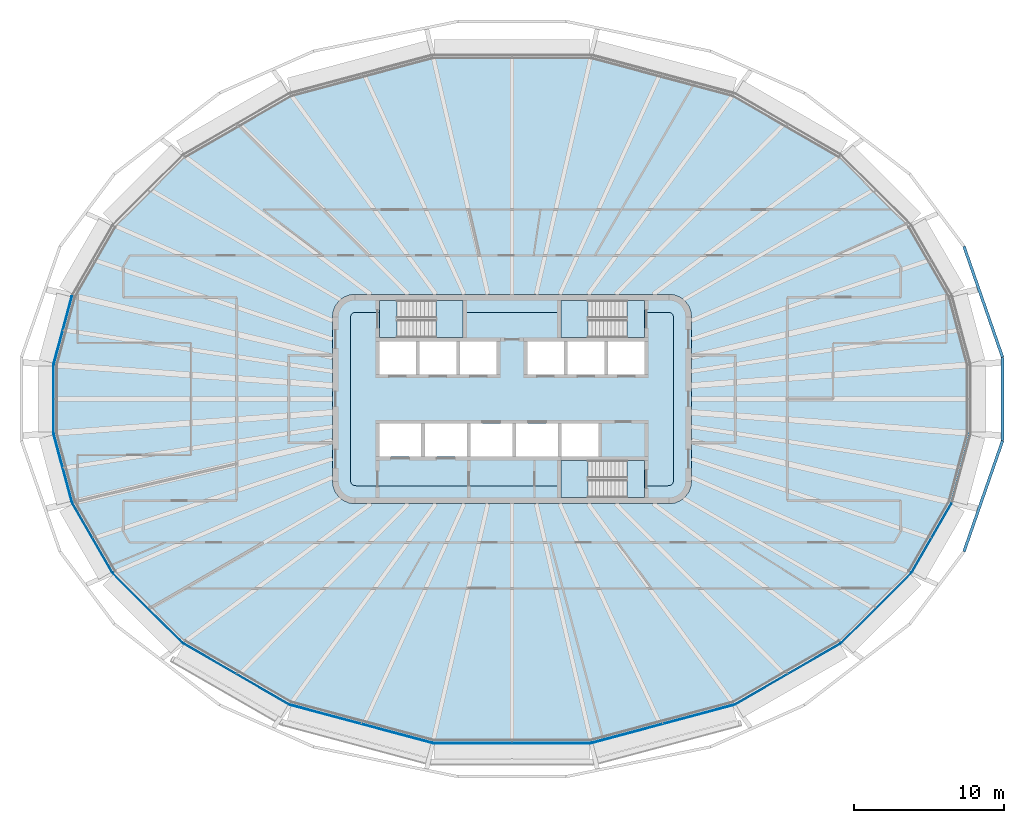
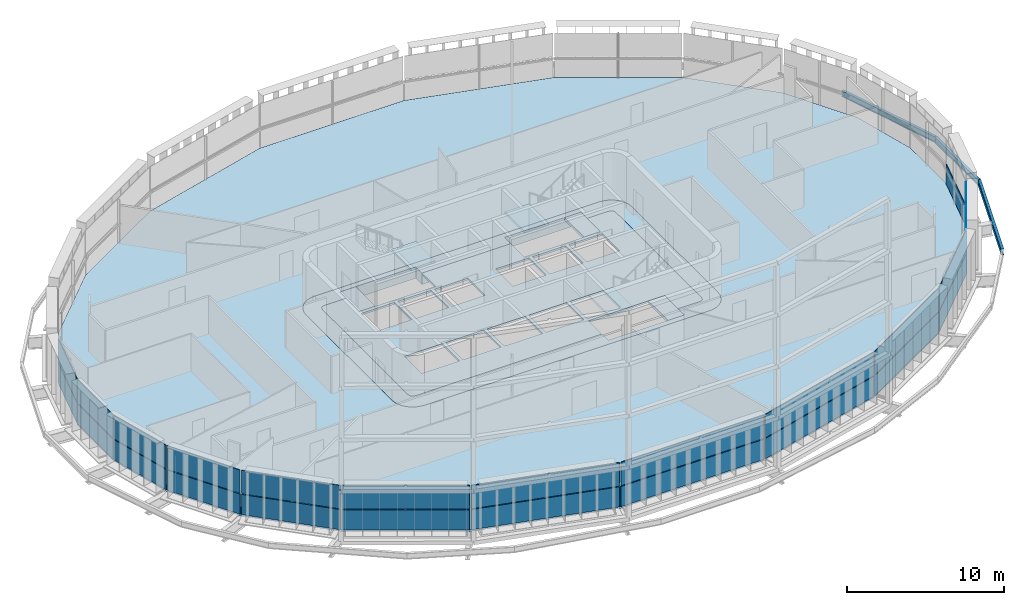
# One storey, part 9 of 20: 25 plates, 9 slabs, 3 beams, 16 elements without a shape of their own.
"""IFC4 building model written with IfcOpenShell, lengths in metres."""

from ifc_helpers import new_model, si_unit, direction, frame, origin, origin_2d, place, context, subcontext, project, spatial, polyline, i_section, outline, extrude, material, layer, layer_set, material_profile, profile_set, type_object, element, aggregate, save


model = new_model("IFC4")

# Units and contexts
model_context = context("Model", 3, precision=1e-05, world=origin(), true_north=direction((0.0, 1.0)))
body_context = subcontext(model_context, "Body", "Model", "MODEL_VIEW")
ifc_project = project(units=[si_unit("LENGTHUNIT", "METRE"), si_unit("AREAUNIT", "SQUARE_METRE"), si_unit("VOLUMEUNIT", "CUBIC_METRE"), si_unit("PLANEANGLEUNIT", "RADIAN"), si_unit("MASSUNIT", "GRAM", prefix="KILO")], contexts=[model_context])

# Site, building, storey
site_placement = place(None, origin())
site = spatial("IfcSite", under=ifc_project, at=site_placement, CompositionType="ELEMENT")
building_placement = place(site_placement, origin())
building = spatial("IfcBuilding", under=site, at=building_placement, Name="Sahrelin Media Tower", CompositionType="ELEMENT")
storey_placement = place(building_placement, frame((0.0, 0.0, 209.60009765625)))
storey = spatial("IfcBuildingStorey", under=building, at=storey_placement, Name="L44", CompositionType="ELEMENT", Elevation=209.60009765625)

# Beams
ifc_material_1 = material(Name="Steel S355", Category="steel")
ifc_material_profile = material_profile(ifc_material_1, i_section(OverallWidth=0.1904296875, OverallDepth=0.45703125, WebThickness=0.009033203125, FlangeThickness=0.014404296875, FilletRadius=0.01025390625, at=origin_2d()), Name="UB 457x191x74")
ifc_profile_set = profile_set([ifc_material_profile], Name="Steel S355")
beam_type = type_object("IfcBeamType", Name="Tie chord TC5", PredefinedType="BEAM", material=ifc_profile_set)
for number, where, z_axis, x_axis, name in (
    (1, (32.8017578125, 2.789794921875, -0.378662109375), (-0.328788244243, 0.944403669226, 0.0), (-0.944403669226, -0.328788244243, 0.0), "Tie chord L44-01"),
    (2, (30.21923828125, -10.207763671875, -0.378662109375), (0.328788244243, 0.944403669226, 0.0), (-0.944403669226, 0.328788244243, 0.0), "Tie chord L44-23"),
):
    element("IfcBeam", number, at=place(storey_placement, frame(where, z_axis=z_axis, x_axis=x_axis)), inside=storey, type_object=beam_type, Name=name, PredefinedType="BEAM", context=body_context, shape_type="SweptSolid", body=[
        extrude(i_section(OverallWidth=0.1904296875, OverallDepth=0.45703125, WebThickness=0.009033203125, FlangeThickness=0.014404296875, FilletRadius=0.01025390625, at=origin_2d()), origin(), (0.0, 0.0, 1.0), 7.854736328125),
    ])
beam_placement = place(storey_placement, frame((32.8017578125, -2.789794921875, -0.378662109375), z_axis=(0.0, 1.0, 0.0), x_axis=(-1.0, 0.0, 0.0)))
element("IfcBeam", 3, at=beam_placement, inside=storey, type_object=beam_type, Name="Tie chord L44-24", PredefinedType="BEAM", context=body_context, shape_type="SweptSolid", body=[
    extrude(i_section(OverallWidth=0.1904296875, OverallDepth=0.45703125, WebThickness=0.009033203125, FlangeThickness=0.014404296875, FilletRadius=0.01025390625, at=origin_2d()), origin(), (0.0, 0.0, 1.0), 5.57958984375),
])

# Slabs
ifc_material_2 = material(Name="Concrete C40/50", Category="concrete")
ifc_layer_1 = layer(ifc_material_2, 0.14990234375)
ifc_layer_set_1 = layer_set([ifc_layer_1], Name="Composite floor slab 150")
slab_type_1 = type_object("IfcSlabType", Name="Composite floor slab 150", PredefinedType="FLOOR", material=ifc_layer_set_1)
placement_1 = place(storey_placement, frame((0.0, 0.0, -0.150146484375)))
element("IfcSlab", 4, at=placement_1, inside=storey, type_object=slab_type_1, Name="Floor slab L44", PredefinedType="FLOOR", context=body_context, shape_type="SweptSolid", body=[
    extrude(outline(polyline([(30.645263671875, -2.288818359375), (30.645263671875, 2.288818359375), (29.40625, 6.9130859375), (26.682373046875, 11.631103515625), (22.001708984375, 16.311767578125), (14.856689453125, 20.43701171875), (5.30712890625, 22.99560546875), (-5.30712890625, 22.99560546875), (-14.856689453125, 20.43701171875), (-22.001708984375, 16.311767578125), (-26.682373046875, 11.631103515625), (-29.40625, 6.9130859375), (-30.645263671875, 2.288818359375), (-30.645263671875, -2.288818359375), (-29.40625, -6.9130859375), (-26.682373046875, -11.631103515625), (-22.001708984375, -16.311767578125), (-14.856689453125, -20.43701171875), (-5.30712890625, -22.99560546875), (5.30712890625, -22.99560546875), (14.856689453125, -20.43701171875), (22.001708984375, -16.311767578125), (26.682373046875, -11.631103515625), (29.40625, -6.9130859375), (30.645263671875, -2.288818359375)]), holes=[polyline([(11.948974609375, 5.88818359375), (12.0, 5.5), (12.0, -5.5), (11.948974609375, -5.88818359375), (11.799072265625, -6.25), (11.560791015625, -6.560791015625), (11.25, -6.799072265625), (10.88818359375, -6.948974609375), (10.5, -7.0), (-10.5, -7.0), (-10.88818359375, -6.948974609375), (-11.25, -6.799072265625), (-11.560791015625, -6.560791015625), (-11.799072265625, -6.25), (-11.948974609375, -5.88818359375), (-12.0, -5.5), (-12.0, 5.5), (-11.948974609375, 5.88818359375), (-11.799072265625, 6.25), (-11.560791015625, 6.560791015625), (-11.25, 6.799072265625), (-10.88818359375, 6.948974609375), (-10.5, 7.0), (10.5, 7.0), (10.88818359375, 6.948974609375), (11.25, 6.799072265625), (11.560791015625, 6.560791015625), (11.799072265625, 6.25), (11.948974609375, 5.88818359375)])]), origin(), (0.0, 0.0, 1.0), 0.150146484375),
])
ifc_layer_2 = layer(ifc_material_2, 0.14990234375)
ifc_layer_set_2 = layer_set([ifc_layer_2], Name="Core floor slab 150")
slab_type_2 = type_object("IfcSlabType", Name="Core floor slab 150", PredefinedType="FLOOR", material=ifc_layer_set_2)
element("IfcSlab", 5, at=placement_1, inside=storey, type_object=slab_type_2, Name="Core floor", PredefinedType="FLOOR", context=body_context, shape_type="SweptSolid", body=[
    extrude(outline(polyline([(-10.800048828125, -5.42138671875), (-10.77978515625, -5.574951171875), (-10.750732421875, -5.64501953125), (-10.704833984375, -5.704833984375), (-10.64501953125, -5.750732421875), (-10.574951171875, -5.77978515625), (-10.42138671875, -5.800048828125), (3.27490234375, -5.800048828125), (3.27490234375, -4.10009765625), (8.875, -4.10009765625), (8.875, -5.800048828125), (10.42138671875, -5.800048828125), (10.574951171875, -5.77978515625), (10.64501953125, -5.750732421875), (10.704833984375, -5.704833984375), (10.750732421875, -5.64501953125), (10.77978515625, -5.574951171875), (10.800048828125, -5.42138671875), (10.800048828125, 5.42138671875), (10.77978515625, 5.574951171875), (10.750732421875, 5.64501953125), (10.704833984375, 5.704833984375), (10.64501953125, 5.750732421875), (10.574951171875, 5.77978515625), (10.42138671875, 5.800048828125), (8.875, 5.800048828125), (8.875, 4.10009765625), (3.27490234375, 4.10009765625), (3.27490234375, 5.800048828125), (-3.27490234375, 5.800048828125), (-3.27490234375, 4.10009765625), (-8.875, 4.10009765625), (-8.875, 5.800048828125), (-10.42138671875, 5.800048828125), (-10.574951171875, 5.77978515625), (-10.64501953125, 5.750732421875), (-10.704833984375, 5.704833984375), (-10.750732421875, 5.64501953125), (-10.77978515625, 5.574951171875), (-10.800048828125, 5.42138671875), (-10.800048828125, -5.42138671875)]), holes=[polyline([(-8.875, 3.85009765625), (-8.875, 1.64990234375), (-6.425048828125, 1.64990234375), (-6.425048828125, 3.85009765625), (-8.875, 3.85009765625)]), polyline([(-3.72509765625, 3.85009765625), (-6.175048828125, 3.85009765625), (-6.175048828125, 1.64990234375), (-3.72509765625, 1.64990234375), (-3.72509765625, 3.85009765625)]), polyline([(-1.02490234375, 1.64990234375), (-1.02490234375, 3.85009765625), (-3.47509765625, 3.85009765625), (-3.47509765625, 1.64990234375), (-1.02490234375, 1.64990234375)]), polyline([(1.02490234375, 1.64990234375), (3.47509765625, 1.64990234375), (3.47509765625, 3.85009765625), (1.02490234375, 3.85009765625), (1.02490234375, 1.64990234375)]), polyline([(3.72509765625, 3.85009765625), (3.72509765625, 1.64990234375), (6.175048828125, 1.64990234375), (6.175048828125, 3.85009765625), (3.72509765625, 3.85009765625)]), polyline([(8.875, 3.85009765625), (6.425048828125, 3.85009765625), (6.425048828125, 1.64990234375), (8.875, 1.64990234375), (8.875, 3.85009765625)]), polyline([(-6.074951171875, -3.85009765625), (-6.074951171875, -1.64990234375), (-8.875, -1.64990234375), (-8.875, -3.85009765625), (-6.074951171875, -3.85009765625)]), polyline([(-5.824951171875, -3.85009765625), (-3.02490234375, -3.85009765625), (-3.02490234375, -1.64990234375), (-5.824951171875, -1.64990234375), (-5.824951171875, -3.85009765625)]), polyline([(-2.77490234375, -1.64990234375), (-2.77490234375, -3.85009765625), (0.02490234375, -3.85009765625), (0.02490234375, -1.64990234375), (-2.77490234375, -1.64990234375)]), polyline([(3.074951171875, -1.64990234375), (0.27490234375, -1.64990234375), (0.27490234375, -3.85009765625), (3.074951171875, -3.85009765625), (3.074951171875, -1.64990234375)]), polyline([(5.77490234375, -3.85009765625), (5.77490234375, -1.64990234375), (3.324951171875, -1.64990234375), (3.324951171875, -3.85009765625), (5.77490234375, -3.85009765625)])]), origin(), (0.0, 0.0, 1.0), 0.150146484375),
])
ifc_material_3 = material(Name="Concrete C60/75", Category="concrete")
ifc_layer_3 = layer(ifc_material_3, 0.89990234375)
ifc_layer_set_3 = layer_set([ifc_layer_3], Name="Core transfer slab 900")
slab_type_3 = type_object("IfcSlabType", Name="Core transfer slab 900", PredefinedType="FLOOR", material=ifc_layer_set_3)
slab_3_placement = place(storey_placement, frame((0.0, 0.0, -0.900146484375)))
element("IfcSlab", 6, at=slab_3_placement, inside=storey, type_object=slab_type_3, Name="Core transfer slab L44", PredefinedType="FLOOR", context=body_context, shape_type="SweptSolid", body=[
    extrude(outline(polyline([(12.0, -5.5), (12.0, 5.5), (11.948974609375, 5.88818359375), (11.799072265625, 6.25), (11.560791015625, 6.560791015625), (11.25, 6.799072265625), (10.88818359375, 6.948974609375), (10.5, 7.0), (-10.5, 7.0), (-10.88818359375, 6.948974609375), (-11.25, 6.799072265625), (-11.560791015625, 6.560791015625), (-11.799072265625, 6.25), (-11.948974609375, 5.88818359375), (-12.0, 5.5), (-12.0, -5.5), (-11.948974609375, -5.88818359375), (-11.799072265625, -6.25), (-11.560791015625, -6.560791015625), (-11.25, -6.799072265625), (-10.88818359375, -6.948974609375), (-10.5, -7.0), (10.5, -7.0), (10.88818359375, -6.948974609375), (11.25, -6.799072265625), (11.560791015625, -6.560791015625), (11.799072265625, -6.25), (11.948974609375, -5.88818359375), (12.0, -5.5)]), holes=[polyline([(10.77978515625, 5.574951171875), (10.800048828125, 5.42138671875), (10.800048828125, -5.42138671875), (10.77978515625, -5.574951171875), (10.750732421875, -5.64501953125), (10.704833984375, -5.704833984375), (10.64501953125, -5.750732421875), (10.574951171875, -5.77978515625), (10.42138671875, -5.800048828125), (8.875, -5.800048828125), (8.875, -6.60009765625), (3.27490234375, -6.60009765625), (3.27490234375, -5.800048828125), (-10.42138671875, -5.800048828125), (-10.574951171875, -5.77978515625), (-10.64501953125, -5.750732421875), (-10.704833984375, -5.704833984375), (-10.750732421875, -5.64501953125), (-10.77978515625, -5.574951171875), (-10.800048828125, -5.42138671875), (-10.800048828125, 5.42138671875), (-10.77978515625, 5.574951171875), (-10.750732421875, 5.64501953125), (-10.704833984375, 5.704833984375), (-10.64501953125, 5.750732421875), (-10.574951171875, 5.77978515625), (-10.42138671875, 5.800048828125), (-8.875, 5.800048828125), (-8.875, 6.60009765625), (-3.27490234375, 6.60009765625), (-3.27490234375, 5.800048828125), (3.27490234375, 5.800048828125), (3.27490234375, 6.60009765625), (8.875, 6.60009765625), (8.875, 5.800048828125), (10.42138671875, 5.800048828125), (10.574951171875, 5.77978515625), (10.64501953125, 5.750732421875), (10.704833984375, 5.704833984375), (10.750732421875, 5.64501953125), (10.77978515625, 5.574951171875)])]), origin(), (0.0, 0.0, 1.0), 0.900146484375),
])

# Curtain wall, plate
ifc_material_4 = material(Name="Champagne anodised aluminium 6063-T6", Category="aluminium")
ifc_layer_4 = layer(ifc_material_4, 0.14990234375)
ifc_layer_set_4 = layer_set([ifc_layer_4], Name="Tower ribbon curtain wall")
curtain_wall_type = type_object("IfcCurtainWallType", Name="Tower ribbon curtain wall", PredefinedType="NOTDEFINED", material=ifc_layer_set_4)
curtain_wall_1_placement = place(storey_placement, frame((-30.045166015625, 4.606201171875, 0.0), z_axis=(0.0, 0.0, 1.0), x_axis=(1.0, 0.0, 0.0)))
curtain_wall_1 = element("IfcCurtainWall", 7, at=curtain_wall_1_placement, inside=storey, type_object=curtain_wall_type, Name="L44:CW:L44-11", PredefinedType="NOTDEFINED")
ifc_material_5 = material(Name="Clear low-iron glazing", Category="glass")
ifc_layer_5 = layer(ifc_material_5, 0.0439453125)
ifc_layer_set_5 = layer_set([ifc_layer_5], Name="Glazing panel 44 mm CW1B")
plate_type_1 = type_object("IfcPlateType", Name="Glazing panel 44 mm CW1B", PredefinedType="CURTAIN_PANEL", material=ifc_layer_set_5)
plate_1_placement = place(storey_placement, frame((-29.457275390625, 6.877685546875, 1.6298828125), z_axis=(-0.965935511849, 0.258782895397, 0.0), x_axis=(-0.258782895397, -0.965935511849, 0.0)))
plate_1 = element("IfcPlate", 8, at=plate_1_placement, type_object=plate_type_1, Name="L44:CWP2:L44-11", PredefinedType="CURTAIN_PANEL", context=body_context, shape_type="SweptSolid", body=[
    extrude(outline(polyline([(0.0, 0.0), (4.692626953125, 0.0), (4.692626953125, 1.818603515625), (0.0, 1.818603515625), (0.0, 0.0)])), origin(), (0.0, 0.0, -1.0), 0.0439453125),
])

curtain_wall_2_placement = place(storey_placement, frame((-30.665283203125, 0.0, 0.0), z_axis=(0.0, 0.0, 1.0), x_axis=(1.0, 0.0, 0.0)))
curtain_wall_2 = element("IfcCurtainWall", 9, at=curtain_wall_2_placement, inside=storey, type_object=curtain_wall_type, Name="L44:CW:L44-12", PredefinedType="NOTDEFINED")
plate_2_placement = place(storey_placement, frame((-30.685302734375, 2.241455078125, 1.6298828125), z_axis=(-1.0, 0.0, 0.0), x_axis=(0.0, -1.0, 0.0)))
plate_2 = element("IfcPlate", 10, at=plate_2_placement, type_object=plate_type_1, Name="L44:CWP2:L44-12", PredefinedType="CURTAIN_PANEL", context=body_context, shape_type="SweptSolid", body=[
    extrude(outline(polyline([(0.0, 0.0), (4.48291015625, 0.0), (4.48291015625, 1.818603515625), (0.0, 1.818603515625), (0.0, 0.0)])), origin(), (0.0, 0.0, -1.0), 0.0439453125),
])

curtain_wall_3_placement = place(storey_placement, frame((-30.045166015625, -4.606201171875, 0.0), z_axis=(0.0, 0.0, 1.0), x_axis=(1.0, 0.0, 0.0)))
curtain_wall_3 = element("IfcCurtainWall", 11, at=curtain_wall_3_placement, inside=storey, type_object=curtain_wall_type, Name="L44:CW:L44-13", PredefinedType="NOTDEFINED")
plate_3_placement = place(storey_placement, frame((-30.671630859375, -2.344970703125, 1.6298828125), z_axis=(-0.965935511849, -0.258782895397, 0.0), x_axis=(0.258782895397, -0.965935511849, 0.0)))
plate_3 = element("IfcPlate", 12, at=plate_3_placement, type_object=plate_type_1, Name="L44:CWP2:L44-13", PredefinedType="CURTAIN_PANEL", context=body_context, shape_type="SweptSolid", body=[
    extrude(outline(polyline([(0.0, 0.0), (4.692626953125, 0.0), (4.692626953125, 1.818603515625), (0.0, 1.818603515625), (0.0, 0.0)])), origin(), (0.0, 0.0, -1.0), 0.0439453125),
])

curtain_wall_4_placement = place(storey_placement, frame((-28.0615234375, -9.281982421875, 0.0), z_axis=(0.0, 0.0, 1.0), x_axis=(1.0, 0.0, 0.0)))
curtain_wall_4 = element("IfcCurtainWall", 13, at=curtain_wall_4_placement, inside=storey, type_object=curtain_wall_type, Name="L44:CW:L44-14", PredefinedType="NOTDEFINED")
plate_4_placement = place(storey_placement, frame((-29.417236328125, -6.97412109375, 1.6298828125), z_axis=(-0.866011664043, -0.500023797175, 0.0), x_axis=(0.500023797175, -0.866011664043, 0.0)))
plate_4 = element("IfcPlate", 14, at=plate_4_placement, type_object=plate_type_1, Name="L44:CWP2:L44-14", PredefinedType="CURTAIN_PANEL", context=body_context, shape_type="SweptSolid", body=[
    extrude(outline(polyline([(0.0, 0.0), (5.353271484375, 0.0), (5.353271484375, 1.818603515625), (0.0, 1.818603515625), (0.0, 0.0)])), origin(), (0.0, 0.0, -1.0), 0.0439453125),
])

curtain_wall_5_placement = place(storey_placement, frame((-24.356201171875, -13.985595703125, 0.0), z_axis=(0.0, 0.0, 1.0), x_axis=(1.0, 0.0, 0.0)))
curtain_wall_5 = element("IfcCurtainWall", 15, at=curtain_wall_5_placement, inside=storey, type_object=curtain_wall_type, Name="L44:CW:L44-15", PredefinedType="NOTDEFINED")
plate_5_placement = place(storey_placement, frame((-26.677001953125, -11.69287109375, 1.6298828125), z_axis=(-0.707125489942, -0.707088071936, 0.0), x_axis=(0.707088071936, -0.707125489942, 0.0)))
plate_5 = element("IfcPlate", 16, at=plate_5_placement, type_object=plate_type_1, Name="L44:CWP2:L44-15", PredefinedType="CURTAIN_PANEL", context=body_context, shape_type="SweptSolid", body=[
    extrude(outline(polyline([(0.0, 0.0), (6.524658203125, 0.0), (6.524658203125, 1.818603515625), (0.0, 1.818603515625), (0.0, 0.0)])), origin(), (0.0, 0.0, -1.0), 0.0439453125),
])

curtain_wall_6_placement = place(storey_placement, frame((-18.439208984375, -18.3916015625, 0.0), z_axis=(0.0, 0.0, 1.0), x_axis=(1.0, 0.0, 0.0)))
curtain_wall_6 = element("IfcCurtainWall", 17, at=curtain_wall_6_placement, inside=storey, type_object=curtain_wall_type, Name="L44:CW:L44-16", PredefinedType="NOTDEFINED")
plate_6_placement = place(storey_placement, frame((-21.980712890625, -16.3701171875, 1.6298828125), z_axis=(-0.500005763519, -0.86602207619, 0.0), x_axis=(0.86602207619, -0.500005763519, 0.0)))
plate_6 = element("IfcPlate", 18, at=plate_6_placement, type_object=plate_type_1, Name="L44:CWP2:L44-16", PredefinedType="CURTAIN_PANEL", context=body_context, shape_type="SweptSolid", body=[
    extrude(outline(polyline([(0.0, 0.0), (8.15576171875, 0.0), (8.15576171875, 1.818603515625), (0.0, 1.818603515625), (0.0, 0.0)])), origin(), (0.0, 0.0, -1.0), 0.0439453125),
])

curtain_wall_7_placement = place(storey_placement, frame((-10.087158203125, -21.735595703125, 0.0), z_axis=(0.0, 0.0, 1.0), x_axis=(1.0, 0.0, 0.0)))
curtain_wall_7 = element("IfcCurtainWall", 19, at=curtain_wall_7_placement, inside=storey, type_object=curtain_wall_type, Name="L44:CW:L44-17", PredefinedType="NOTDEFINED")
plate_7_placement = place(storey_placement, frame((-14.8212890625, -20.48779296875, 1.6298828125), z_axis=(-0.258834126275, -0.965921785175, 0.0), x_axis=(0.965921785175, -0.258834126275, 0.0)))
plate_7 = element("IfcPlate", 20, at=plate_7_placement, type_object=plate_type_1, Name="L44:CWP2:L44-17", PredefinedType="CURTAIN_PANEL", context=body_context, shape_type="SweptSolid", body=[
    extrude(outline(polyline([(0.0, 0.0), (9.791748046875, 0.0), (9.791748046875, 1.818603515625), (0.0, 1.818603515625), (0.0, 0.0)])), origin(), (0.0, 0.0, -1.0), 0.0439453125),
])

curtain_wall_8_placement = place(storey_placement, frame((0.0, -23.015625, 0.0), z_axis=(0.0, 0.0, 1.0), x_axis=(1.0, 0.0, 0.0)))
curtain_wall_8 = element("IfcCurtainWall", 21, at=curtain_wall_8_placement, inside=storey, type_object=curtain_wall_type, Name="L44:CW:L44-18", PredefinedType="NOTDEFINED")
plate_8_placement = place(storey_placement, frame((-5.259765625, -23.03564453125, 1.6298828125), z_axis=(0.0, -1.0, 0.0), x_axis=(1.0, 0.0, 0.0)))
plate_8 = element("IfcPlate", 22, at=plate_8_placement, type_object=plate_type_1, Name="L44:CWP2:L44-18", PredefinedType="CURTAIN_PANEL", context=body_context, shape_type="SweptSolid", body=[
    extrude(outline(polyline([(0.0, 0.0), (10.51953125, 0.0), (10.51953125, 1.818603515625), (0.0, 1.818603515625), (0.0, 0.0)])), origin(), (0.0, 0.0, -1.0), 0.0439453125),
])

curtain_wall_9_placement = place(storey_placement, frame((10.0869140625, -21.735595703125, 0.0), z_axis=(0.0, 0.0, 1.0), x_axis=(1.0, 0.0, 0.0)))
curtain_wall_9 = element("IfcCurtainWall", 23, at=curtain_wall_9_placement, inside=storey, type_object=curtain_wall_type, Name="L44:CW:L44-19", PredefinedType="NOTDEFINED")
plate_9_placement = place(storey_placement, frame((5.36328125, -23.022216796875, 1.6298828125), z_axis=(0.258834126275, -0.965921785175, 0.0), x_axis=(0.965921785175, 0.258834126275, 0.0)))
plate_9 = element("IfcPlate", 24, at=plate_9_placement, type_object=plate_type_1, Name="L44:CWP2:L44-19", PredefinedType="CURTAIN_PANEL", context=body_context, shape_type="SweptSolid", body=[
    extrude(outline(polyline([(0.0, 0.0), (9.791748046875, 0.0), (9.791748046875, 1.818603515625), (0.0, 1.818603515625), (0.0, 0.0)])), origin(), (0.0, 0.0, -1.0), 0.0439453125),
])

curtain_wall_10_placement = place(storey_placement, frame((18.439208984375, -18.3916015625, 0.0), z_axis=(0.0, 0.0, 1.0), x_axis=(1.0, 0.0, 0.0)))
curtain_wall_10 = element("IfcCurtainWall", 25, at=curtain_wall_10_placement, inside=storey, type_object=curtain_wall_type, Name="L44:CW:L44-20", PredefinedType="NOTDEFINED")
plate_10_placement = place(storey_placement, frame((14.917724609375, -20.447998046875, 1.6298828125), z_axis=(0.500005763519, -0.86602207619, 0.0), x_axis=(0.86602207619, 0.500005763519, 0.0)))
plate_10 = element("IfcPlate", 26, at=plate_10_placement, type_object=plate_type_1, Name="L44:CWP2:L44-20", PredefinedType="CURTAIN_PANEL", context=body_context, shape_type="SweptSolid", body=[
    extrude(outline(polyline([(0.0, 0.0), (8.15576171875, 0.0), (8.15576171875, 1.818603515625), (0.0, 1.818603515625), (0.0, 0.0)])), origin(), (0.0, 0.0, -1.0), 0.0439453125),
])

curtain_wall_11_placement = place(storey_placement, frame((24.356201171875, -13.985595703125, 0.0), z_axis=(0.0, 0.0, 1.0), x_axis=(1.0, 0.0, 0.0)))
curtain_wall_11 = element("IfcCurtainWall", 27, at=curtain_wall_11_placement, inside=storey, type_object=curtain_wall_type, Name="L44:CW:L44-21", PredefinedType="NOTDEFINED")
plate_11_placement = place(storey_placement, frame((22.0634765625, -16.306640625, 1.6298828125), z_axis=(0.707125489942, -0.707088071936, 0.0), x_axis=(0.707088071936, 0.707125489942, 0.0)))
plate_11 = element("IfcPlate", 28, at=plate_11_placement, type_object=plate_type_1, Name="L44:CWP2:L44-21", PredefinedType="CURTAIN_PANEL", context=body_context, shape_type="SweptSolid", body=[
    extrude(outline(polyline([(0.0, 0.0), (6.524658203125, 0.0), (6.524658203125, 1.818603515625), (0.0, 1.818603515625), (0.0, 0.0)])), origin(), (0.0, 0.0, -1.0), 0.0439453125),
])

curtain_wall_12_placement = place(storey_placement, frame((28.0615234375, -9.281982421875, 0.0), z_axis=(0.0, 0.0, 1.0), x_axis=(1.0, 0.0, 0.0)))
curtain_wall_12 = element("IfcCurtainWall", 29, at=curtain_wall_12_placement, inside=storey, type_object=curtain_wall_type, Name="L44:CW:L44-22", PredefinedType="NOTDEFINED")
plate_12_placement = place(storey_placement, frame((26.740478515625, -11.610107421875, 1.6298828125), z_axis=(0.866011664043, -0.500023797175, 0.0), x_axis=(0.500023797175, 0.866011664043, 0.0)))
plate_12 = element("IfcPlate", 30, at=plate_12_placement, type_object=plate_type_1, Name="L44:CWP2:L44-22", PredefinedType="CURTAIN_PANEL", context=body_context, shape_type="SweptSolid", body=[
    extrude(outline(polyline([(0.0, 0.0), (5.353271484375, 0.0), (5.353271484375, 1.818603515625), (0.0, 1.818603515625), (0.0, 0.0)])), origin(), (0.0, 0.0, -1.0), 0.0439453125),
])

# Plate
ifc_material_6 = material(Name="Insulated spandrel panel")
ifc_layer_6 = layer(ifc_material_6, 0.06005859375)
ifc_layer_set_6 = layer_set([ifc_layer_6], Name="Spandrel panel 60 mm CW1")
plate_type_2 = type_object("IfcPlateType", Name="Spandrel panel 60 mm CW1", PredefinedType="SHEET", material=ifc_layer_set_6)
plate_13_placement = place(storey_placement, frame((-29.457275390625, 6.877685546875, 0.0), z_axis=(-0.965935511849, 0.258782895397, 0.0), x_axis=(-0.258782895397, -0.965935511849, 0.0)))
plate_13 = element("IfcPlate", 31, at=plate_13_placement, type_object=plate_type_2, Name="L44:CWP1:L44-11", PredefinedType="SHEET", context=body_context, shape_type="SweptSolid", body=[
    extrude(outline(polyline([(0.0, 0.0), (4.692626953125, 0.0), (4.692626953125, 1.56982421875), (0.0, 1.56982421875), (0.0, 0.0)])), origin(), (0.0, 0.0, -1.0), 0.06005859375),
])

aggregate(curtain_wall_1, [plate_13, plate_1])

plate_14_placement = place(storey_placement, frame((-30.685302734375, 2.241455078125, 0.0), z_axis=(-1.0, 0.0, 0.0), x_axis=(0.0, -1.0, 0.0)))
plate_14 = element("IfcPlate", 32, at=plate_14_placement, type_object=plate_type_2, Name="L44:CWP1:L44-12", PredefinedType="SHEET", context=body_context, shape_type="SweptSolid", body=[
    extrude(outline(polyline([(0.0, 0.0), (4.48291015625, 0.0), (4.48291015625, 1.56982421875), (0.0, 1.56982421875), (0.0, 0.0)])), origin(), (0.0, 0.0, -1.0), 0.06005859375),
])

aggregate(curtain_wall_2, [plate_14, plate_2])

plate_15_placement = place(storey_placement, frame((-30.671630859375, -2.344970703125, 0.0), z_axis=(-0.965935511849, -0.258782895397, 0.0), x_axis=(0.258782895397, -0.965935511849, 0.0)))
plate_15 = element("IfcPlate", 33, at=plate_15_placement, type_object=plate_type_2, Name="L44:CWP1:L44-13", PredefinedType="SHEET", context=body_context, shape_type="SweptSolid", body=[
    extrude(outline(polyline([(0.0, 0.0), (4.692626953125, 0.0), (4.692626953125, 1.56982421875), (0.0, 1.56982421875), (0.0, 0.0)])), origin(), (0.0, 0.0, -1.0), 0.06005859375),
])

aggregate(curtain_wall_3, [plate_15, plate_3])

plate_16_placement = place(storey_placement, frame((-29.417236328125, -6.97412109375, 0.0), z_axis=(-0.866011664043, -0.500023797175, 0.0), x_axis=(0.500023797175, -0.866011664043, 0.0)))
plate_16 = element("IfcPlate", 34, at=plate_16_placement, type_object=plate_type_2, Name="L44:CWP1:L44-14", PredefinedType="SHEET", context=body_context, shape_type="SweptSolid", body=[
    extrude(outline(polyline([(0.0, 0.0), (5.353271484375, 0.0), (5.353271484375, 1.56982421875), (0.0, 1.56982421875), (0.0, 0.0)])), origin(), (0.0, 0.0, -1.0), 0.06005859375),
])

aggregate(curtain_wall_4, [plate_16, plate_4])

plate_17_placement = place(storey_placement, frame((-26.677001953125, -11.69287109375, 0.0), z_axis=(-0.707125489942, -0.707088071936, 0.0), x_axis=(0.707088071936, -0.707125489942, 0.0)))
plate_17 = element("IfcPlate", 35, at=plate_17_placement, type_object=plate_type_2, Name="L44:CWP1:L44-15", PredefinedType="SHEET", context=body_context, shape_type="SweptSolid", body=[
    extrude(outline(polyline([(0.0, 0.0), (6.524658203125, 0.0), (6.524658203125, 1.56982421875), (0.0, 1.56982421875), (0.0, 0.0)])), origin(), (0.0, 0.0, -1.0), 0.06005859375),
])

aggregate(curtain_wall_5, [plate_17, plate_5])

plate_18_placement = place(storey_placement, frame((-21.980712890625, -16.3701171875, 0.0), z_axis=(-0.500005763519, -0.86602207619, 0.0), x_axis=(0.86602207619, -0.500005763519, 0.0)))
plate_18 = element("IfcPlate", 36, at=plate_18_placement, type_object=plate_type_2, Name="L44:CWP1:L44-16", PredefinedType="SHEET", context=body_context, shape_type="SweptSolid", body=[
    extrude(outline(polyline([(0.0, 0.0), (8.15576171875, 0.0), (8.15576171875, 1.56982421875), (0.0, 1.56982421875), (0.0, 0.0)])), origin(), (0.0, 0.0, -1.0), 0.06005859375),
])

aggregate(curtain_wall_6, [plate_18, plate_6])

plate_19_placement = place(storey_placement, frame((-14.8212890625, -20.48779296875, 0.0), z_axis=(-0.258834126275, -0.965921785175, 0.0), x_axis=(0.965921785175, -0.258834126275, 0.0)))
plate_19 = element("IfcPlate", 37, at=plate_19_placement, type_object=plate_type_2, Name="L44:CWP1:L44-17", PredefinedType="SHEET", context=body_context, shape_type="SweptSolid", body=[
    extrude(outline(polyline([(0.0, 0.0), (9.791748046875, 0.0), (9.791748046875, 1.56982421875), (0.0, 1.56982421875), (0.0, 0.0)])), origin(), (0.0, 0.0, -1.0), 0.06005859375),
])

aggregate(curtain_wall_7, [plate_19, plate_7])

plate_20_placement = place(storey_placement, frame((-5.259765625, -23.03564453125, 0.0), z_axis=(0.0, -1.0, 0.0), x_axis=(1.0, 0.0, 0.0)))
plate_20 = element("IfcPlate", 38, at=plate_20_placement, type_object=plate_type_2, Name="L44:CWP1:L44-18", PredefinedType="SHEET", context=body_context, shape_type="SweptSolid", body=[
    extrude(outline(polyline([(0.0, 0.0), (10.51953125, 0.0), (10.51953125, 1.56982421875), (0.0, 1.56982421875), (0.0, 0.0)])), origin(), (0.0, 0.0, -1.0), 0.06005859375),
])

aggregate(curtain_wall_8, [plate_20, plate_8])

plate_21_placement = place(storey_placement, frame((5.36328125, -23.022216796875, 0.0), z_axis=(0.258834126275, -0.965921785175, 0.0), x_axis=(0.965921785175, 0.258834126275, 0.0)))
plate_21 = element("IfcPlate", 39, at=plate_21_placement, type_object=plate_type_2, Name="L44:CWP1:L44-19", PredefinedType="SHEET", context=body_context, shape_type="SweptSolid", body=[
    extrude(outline(polyline([(0.0, 0.0), (9.791748046875, 0.0), (9.791748046875, 1.56982421875), (0.0, 1.56982421875), (0.0, 0.0)])), origin(), (0.0, 0.0, -1.0), 0.06005859375),
])

aggregate(curtain_wall_9, [plate_21, plate_9])

plate_22_placement = place(storey_placement, frame((14.917724609375, -20.447998046875, 0.0), z_axis=(0.500005763519, -0.86602207619, 0.0), x_axis=(0.86602207619, 0.500005763519, 0.0)))
plate_22 = element("IfcPlate", 40, at=plate_22_placement, type_object=plate_type_2, Name="L44:CWP1:L44-20", PredefinedType="SHEET", context=body_context, shape_type="SweptSolid", body=[
    extrude(outline(polyline([(0.0, 0.0), (8.15576171875, 0.0), (8.15576171875, 1.56982421875), (0.0, 1.56982421875), (0.0, 0.0)])), origin(), (0.0, 0.0, -1.0), 0.06005859375),
])

aggregate(curtain_wall_10, [plate_22, plate_10])

plate_23_placement = place(storey_placement, frame((22.0634765625, -16.306640625, 0.0), z_axis=(0.707125489942, -0.707088071936, 0.0), x_axis=(0.707088071936, 0.707125489942, 0.0)))
plate_23 = element("IfcPlate", 41, at=plate_23_placement, type_object=plate_type_2, Name="L44:CWP1:L44-21", PredefinedType="SHEET", context=body_context, shape_type="SweptSolid", body=[
    extrude(outline(polyline([(0.0, 0.0), (6.524658203125, 0.0), (6.524658203125, 1.56982421875), (0.0, 1.56982421875), (0.0, 0.0)])), origin(), (0.0, 0.0, -1.0), 0.06005859375),
])

aggregate(curtain_wall_11, [plate_23, plate_11])

plate_24_placement = place(storey_placement, frame((26.740478515625, -11.610107421875, 0.0), z_axis=(0.866011664043, -0.500023797175, 0.0), x_axis=(0.500023797175, 0.866011664043, 0.0)))
plate_24 = element("IfcPlate", 42, at=plate_24_placement, type_object=plate_type_2, Name="L44:CWP1:L44-22", PredefinedType="SHEET", context=body_context, shape_type="SweptSolid", body=[
    extrude(outline(polyline([(0.0, 0.0), (5.353271484375, 0.0), (5.353271484375, 1.56982421875), (0.0, 1.56982421875), (0.0, 0.0)])), origin(), (0.0, 0.0, -1.0), 0.06005859375),
])

aggregate(curtain_wall_12, [plate_24, plate_12])

# Curtain wall, plate
curtain_wall_13_placement = place(storey_placement, frame((30.045166015625, -4.606201171875, 0.0), z_axis=(0.0, 0.0, 1.0), x_axis=(1.0, 0.0, 0.0)))
curtain_wall_13 = element("IfcCurtainWall", 43, at=curtain_wall_13_placement, inside=storey, type_object=curtain_wall_type, Name="L44:CW:L44-23", PredefinedType="NOTDEFINED")
plate_25_placement = place(storey_placement, frame((29.457275390625, -6.877685546875, 0.0), z_axis=(0.965935511849, -0.258782895397, 0.0), x_axis=(0.258782895397, 0.965935511849, 0.0)))
plate_25 = element("IfcPlate", 44, at=plate_25_placement, type_object=plate_type_2, Name="L44:CWP1:L44-23", PredefinedType="SHEET", context=body_context, shape_type="SweptSolid", body=[
    extrude(outline(polyline([(0.0, 0.0), (4.692626953125, 0.0), (4.692626953125, 1.56982421875), (0.0, 1.56982421875), (0.0, 0.0)])), origin(), (0.0, 0.0, -1.0), 0.06005859375),
])
aggregate(curtain_wall_13, [plate_25])

# Stair, slabs
stair_type = type_object("IfcStairType", Name="Exit stair 1200", PredefinedType="HALF_TURN_STAIR", material=ifc_material_2)
placement_2 = place(storey_placement, origin())
stair_1 = element("IfcStair", 45, at=placement_2, inside=storey, type_object=stair_type, Name="L44 Exit stair ST1", PredefinedType="HALF_TURN_STAIR")
ifc_layer_7 = layer(ifc_material_2, 0.199951171875)
ifc_layer_set_7 = layer_set([ifc_layer_7], Name="Stair landing 200")
slab_type_4 = type_object("IfcSlabType", Name="Stair landing 200", PredefinedType="LANDING", material=ifc_layer_set_7)
placement_3 = place(storey_placement, frame((0.0, 0.0, 1.7998046875)))
slab_4 = element("IfcSlab", 46, at=placement_3, type_object=slab_type_4, Name="ST1 landing 1", PredefinedType="LANDING", context=body_context, shape_type="SweptSolid", body=[
    extrude(outline(polyline([(-5.074951171875, 4.10009765625), (-3.27490234375, 4.10009765625), (-3.27490234375, 6.60009765625), (-5.074951171875, 6.60009765625), (-5.074951171875, 4.10009765625)])), origin(), (0.0, 0.0, 1.0), 0.2001953125),
])
placement_4 = place(storey_placement, frame((0.0, 0.0, -0.2001953125)))
slab_5 = element("IfcSlab", 47, at=placement_4, type_object=slab_type_4, Name="ST1 landing 2", PredefinedType="LANDING", context=body_context, shape_type="SweptSolid", body=[
    extrude(outline(polyline([(-8.875, 4.10009765625), (-7.675048828125, 4.10009765625), (-7.675048828125, 6.60009765625), (-8.875, 6.60009765625), (-8.875, 4.10009765625)])), origin(), (0.0, 0.0, 1.0), 0.2001953125),
])
aggregate(stair_1, [slab_4, slab_5])

stair_2 = element("IfcStair", 48, at=placement_2, inside=storey, type_object=stair_type, Name="L44 Exit stair ST3", PredefinedType="HALF_TURN_STAIR")
slab_6 = element("IfcSlab", 49, at=placement_3, type_object=slab_type_4, Name="ST3 landing 1", PredefinedType="LANDING", context=body_context, shape_type="SweptSolid", body=[
    extrude(outline(polyline([(5.074951171875, 6.60009765625), (3.27490234375, 6.60009765625), (3.27490234375, 4.10009765625), (5.074951171875, 4.10009765625), (5.074951171875, 6.60009765625)])), origin(), (0.0, 0.0, 1.0), 0.2001953125),
])
slab_7 = element("IfcSlab", 50, at=placement_4, type_object=slab_type_4, Name="ST3 landing 2", PredefinedType="LANDING", context=body_context, shape_type="SweptSolid", body=[
    extrude(outline(polyline([(8.875, 6.60009765625), (7.675048828125, 6.60009765625), (7.675048828125, 4.10009765625), (8.875, 4.10009765625), (8.875, 6.60009765625)])), origin(), (0.0, 0.0, 1.0), 0.2001953125),
])
aggregate(stair_2, [slab_6, slab_7])

stair_3 = element("IfcStair", 51, at=placement_2, inside=storey, type_object=stair_type, Name="L44 Exit stair ST2", PredefinedType="HALF_TURN_STAIR")
slab_8 = element("IfcSlab", 52, at=placement_3, type_object=slab_type_4, Name="ST2 landing 1", PredefinedType="LANDING", context=body_context, shape_type="SweptSolid", body=[
    extrude(outline(polyline([(5.074951171875, -4.10009765625), (3.27490234375, -4.10009765625), (3.27490234375, -6.60009765625), (5.074951171875, -6.60009765625), (5.074951171875, -4.10009765625)])), origin(), (0.0, 0.0, 1.0), 0.2001953125),
])
slab_9 = element("IfcSlab", 53, at=placement_4, type_object=slab_type_4, Name="ST2 landing 2", PredefinedType="LANDING", context=body_context, shape_type="SweptSolid", body=[
    extrude(outline(polyline([(8.875, -4.10009765625), (7.675048828125, -4.10009765625), (7.675048828125, -6.60009765625), (8.875, -6.60009765625), (8.875, -4.10009765625)])), origin(), (0.0, 0.0, 1.0), 0.2001953125),
])
aggregate(stair_3, [slab_8, slab_9])

save(model, "model.ifc")
